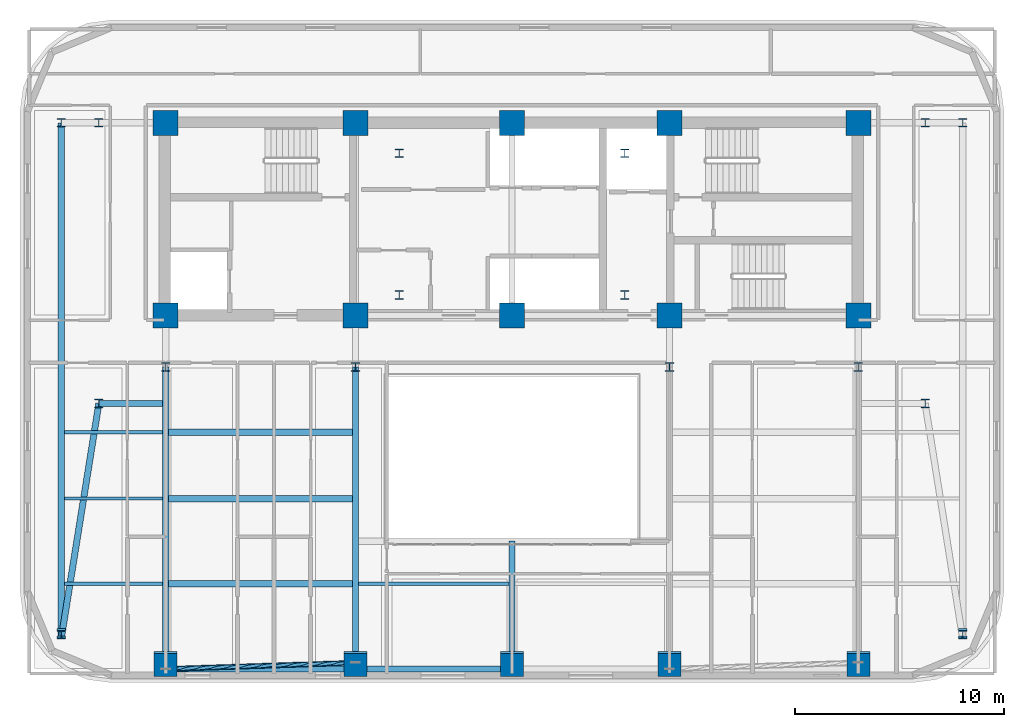
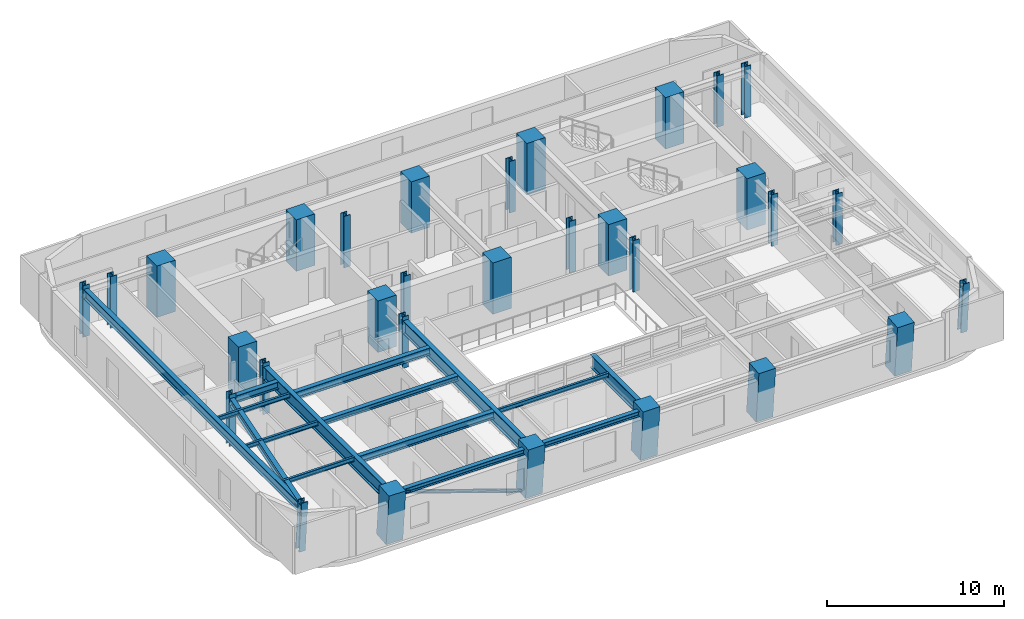
# One storey, part 1 of 12: 31 columns, 15 beams, 1 member.
"""IFC4 building model written with IfcOpenShell, lengths in metres."""

from ifc_helpers import new_model, si_unit, direction, frame, origin, origin_2d, place, context, subcontext, project, spatial, rectangle, hollow_circle, i_section, extrude, material, material_profile, profile_set, type_object, element, save


model = new_model("IFC4")

# Units and contexts
model_context = context("Model", 3, precision=1e-05, world=origin(), true_north=direction((0.0, 1.0)))
body_context = subcontext(model_context, "Body", "Model", "MODEL_VIEW")
ifc_project = project(units=[si_unit("LENGTHUNIT", "METRE"), si_unit("AREAUNIT", "SQUARE_METRE"), si_unit("VOLUMEUNIT", "CUBIC_METRE"), si_unit("PLANEANGLEUNIT", "RADIAN"), si_unit("MASSUNIT", "GRAM", prefix="KILO")], contexts=[model_context])

# Site, building, storey
site_placement = place(None, origin())
site = spatial("IfcSite", under=ifc_project, at=site_placement, CompositionType="ELEMENT")
building_placement = place(site_placement, origin())
building = spatial("IfcBuilding", under=site, at=building_placement, Name="Zarnavel Station Tower", CompositionType="ELEMENT")
storey_placement = place(building_placement, frame((0.0, 0.0, 166.10009765625)))
storey = spatial("IfcBuildingStorey", under=building, at=storey_placement, Name="L45", CompositionType="ELEMENT", Elevation=166.10009765625)

# Columns
ifc_material_1 = material(Name="Steel S355J2", Category="steel")
ifc_material_profile_1 = material_profile(ifc_material_1, i_section(OverallWidth=0.4130859375, OverallDepth=0.4150390625, WebThickness=0.030029296875, FlangeThickness=0.047119140625, FilletRadius=0.014892578125, at=origin_2d()), Name="HD400x347")
ifc_profile_set_1 = profile_set([ifc_material_profile_1], Name="Steel S355J2")
column_type_1 = type_object("IfcColumnType", Name="EC_HD347", PredefinedType="COLUMN", material=ifc_profile_set_1)
column_1_placement = place(storey_placement, frame((7.199951171875, 12.611572265625, 0.0), z_axis=(0.0, -0.079935956101, 0.996800001466), x_axis=(1.0, 0.0, 0.0)))
element("IfcColumn", 1, at=column_1_placement, inside=storey, type_object=column_type_1, Name="L45 Raked Wing Column 1", PredefinedType="COLUMN", context=body_context, shape_type="SweptSolid", body=[
    extrude(i_section(OverallWidth=0.4130859375, OverallDepth=0.4150390625, WebThickness=0.030029296875, FlangeThickness=0.047119140625, FilletRadius=0.014892578125, at=origin_2d()), origin(), (0.0, 0.0, 1.0), 3.561279296875),
])
column_2_placement = place(storey_placement, frame((7.199951171875, 37.050048828125, 0.0), z_axis=(0.0, 0.0, 1.0), x_axis=(1.0, 0.0, 0.0)))
element("IfcColumn", 2, at=column_2_placement, inside=storey, type_object=column_type_1, Name="L45 Outer Wing North Column 1", PredefinedType="COLUMN", context=body_context, shape_type="SweptSolid", body=[
    extrude(i_section(OverallWidth=0.4130859375, OverallDepth=0.4150390625, WebThickness=0.030029296875, FlangeThickness=0.047119140625, FilletRadius=0.014892578125, at=origin_2d()), origin(), (0.0, 0.0, 1.0), 3.5498046875),
])
column_3_placement = place(storey_placement, frame((50.39990234375, 12.611572265625, 0.0), z_axis=(0.0, -0.079935956101, 0.996800001466), x_axis=(1.0, 0.0, 0.0)))
element("IfcColumn", 3, at=column_3_placement, inside=storey, type_object=column_type_1, Name="L45 Raked Wing Column 2", PredefinedType="COLUMN", context=body_context, shape_type="SweptSolid", body=[
    extrude(i_section(OverallWidth=0.4130859375, OverallDepth=0.4150390625, WebThickness=0.030029296875, FlangeThickness=0.047119140625, FilletRadius=0.014892578125, at=origin_2d()), origin(), (0.0, 0.0, 1.0), 3.561279296875),
])
column_4_placement = place(storey_placement, frame((50.39990234375, 37.050048828125, 0.0), z_axis=(0.0, 0.0, 1.0), x_axis=(1.0, 0.0, 0.0)))
element("IfcColumn", 4, at=column_4_placement, inside=storey, type_object=column_type_1, Name="L45 Outer Wing North Column 2", PredefinedType="COLUMN", context=body_context, shape_type="SweptSolid", body=[
    extrude(i_section(OverallWidth=0.4130859375, OverallDepth=0.4150390625, WebThickness=0.030029296875, FlangeThickness=0.047119140625, FilletRadius=0.014892578125, at=origin_2d()), origin(), (0.0, 0.0, 1.0), 3.5498046875),
])
ifc_material_2 = material(Name="Steel S355J2", Category="steel")
ifc_material_profile_2 = material_profile(ifc_material_2, i_section(OverallWidth=0.4130859375, OverallDepth=0.4150390625, WebThickness=0.030029296875, FlangeThickness=0.047119140625, FilletRadius=0.014892578125, at=origin_2d()), Name="HD400x347")
ifc_profile_set_2 = profile_set([ifc_material_profile_2], Name="Steel S355J2")
column_type_2 = type_object("IfcColumnType", Name="IC_HD347", PredefinedType="COLUMN", material=ifc_profile_set_2)
for number, where, z_axis, x_axis, name in (
    (5, (23.39990234375, 28.800048828125, 0.0), (0.0, 0.0, 1.0), (1.0, 0.0, 0.0), "L45 Mast Spine Column 1"),
    (6, (34.199951171875, 28.800048828125, 0.0), (0.0, 0.0, 1.0), (1.0, 0.0, 0.0), "L45 Mast Spine Column 2"),
    (7, (34.199951171875, 35.60009765625, 0.0), (0.0, 0.0, 1.0), (1.0, 0.0, 0.0), "L45 Mast Spine Column 3"),
    (8, (23.39990234375, 35.60009765625, 0.0), (0.0, 0.0, 1.0), (1.0, 0.0, 0.0), "L45 Mast Spine Column 4"),
    (9, (12.199951171875, 25.35009765625, 0.0), (0.0, 0.0, 1.0), (1.0, 0.0, 0.0), "L45 Inner Spine Column 1"),
    (10, (21.300048828125, 25.35009765625, 0.0), (0.0, 0.0, 1.0), (1.0, 0.0, 0.0), "L45 Inner Spine Column 2"),
    (11, (36.35009765625, 25.35009765625, 0.0), (0.0, 0.0, 1.0), (1.0, 0.0, 0.0), "L45 Inner Spine Column 4"),
    (12, (45.39990234375, 25.35009765625, 0.0), (0.0, 0.0, 1.0), (1.0, 0.0, 0.0), "L45 Inner Spine Column 5"),
    (13, (9.0, 23.60009765625, 0.0), (0.0, 0.0, 1.0), (1.0, 0.0, 0.0), "L45 Inner Wing Spine Column 1-1"),
    (14, (9.0, 37.050048828125, 0.0), (0.0, 0.0, 1.0), (1.0, 0.0, 0.0), "L45 Inner Wing Spine Column 1-2"),
    (15, (48.60009765625, 23.60009765625, 0.0), (0.0, 0.0, 1.0), (1.0, 0.0, 0.0), "L45 Inner Wing Spine Column 2-1"),
    (16, (48.60009765625, 37.050048828125, 0.0), (0.0, 0.0, 1.0), (1.0, 0.0, 0.0), "L45 Inner Wing Spine Column 2-2"),
):
    element("IfcColumn", number, at=place(storey_placement, frame(where, z_axis=z_axis, x_axis=x_axis)), inside=storey, type_object=column_type_2, Name=name, PredefinedType="COLUMN", context=body_context, shape_type="SweptSolid", body=[
        extrude(i_section(OverallWidth=0.4130859375, OverallDepth=0.4150390625, WebThickness=0.030029296875, FlangeThickness=0.047119140625, FilletRadius=0.014892578125, at=origin_2d()), origin(), (0.0, 0.0, 1.0), 3.5498046875),
    ])
ifc_material_3 = material(Name="Concrete C50/60", Category="concrete")
ifc_material_profile_3 = material_profile(ifc_material_3, rectangle(XDim=1.199951171875, YDim=1.199951171875, at=origin_2d()), Name="RC1200x1200")
ifc_profile_set_3 = profile_set([ifc_material_profile_3], Name="Concrete C50/60")
column_type_3 = type_object("IfcColumnType", Name="IC_RC1200", PredefinedType="COLUMN", material=ifc_profile_set_3)
for number, where, z_axis, x_axis, name in (
    (17, (12.199951171875, 27.820068359375, 0.0), (0.0, 0.0, 1.0), (1.0, 0.0, 0.0), "L45 Core Spine Column 1-1"),
    (18, (12.199951171875, 37.050048828125, 0.0), (0.0, 0.0, 1.0), (1.0, 0.0, 0.0), "L45 Core Spine Column 1-2"),
    (19, (21.300048828125, 27.820068359375, 0.0), (0.0, 0.0, 1.0), (1.0, 0.0, 0.0), "L45 Core Spine Column 2-1"),
    (20, (21.300048828125, 37.050048828125, 0.0), (0.0, 0.0, 1.0), (1.0, 0.0, 0.0), "L45 Core Spine Column 2-2"),
    (21, (28.800048828125, 27.820068359375, 0.0), (0.0, 0.0, 1.0), (1.0, 0.0, 0.0), "L45 Core Spine Column 3-1"),
    (22, (28.800048828125, 37.050048828125, 0.0), (0.0, 0.0, 1.0), (1.0, 0.0, 0.0), "L45 Core Spine Column 3-2"),
    (23, (36.35009765625, 27.820068359375, 0.0), (0.0, 0.0, 1.0), (1.0, 0.0, 0.0), "L45 Core Spine Column 4-1"),
    (24, (36.35009765625, 37.050048828125, 0.0), (0.0, 0.0, 1.0), (1.0, 0.0, 0.0), "L45 Core Spine Column 4-2"),
    (25, (45.39990234375, 27.820068359375, 0.0), (0.0, 0.0, 1.0), (1.0, 0.0, 0.0), "L45 Core Spine Column 5-1"),
    (26, (45.39990234375, 37.050048828125, 0.0), (0.0, 0.0, 1.0), (1.0, 0.0, 0.0), "L45 Core Spine Column 5-2"),
):
    element("IfcColumn", number, at=place(storey_placement, frame(where, z_axis=z_axis, x_axis=x_axis)), inside=storey, type_object=column_type_3, Name=name, PredefinedType="COLUMN", context=body_context, shape_type="SweptSolid", body=[
        extrude(rectangle(XDim=1.199951171875, YDim=1.199951171875, at=origin_2d()), origin(), (0.0, 0.0, 1.0), 3.5498046875),
    ])
ifc_material_4 = material(Name="Concrete C50/60", Category="concrete")
ifc_material_profile_4 = material_profile(ifc_material_4, rectangle(XDim=1.10009765625, YDim=1.10009765625, at=origin_2d()), Name="RC1100x1100")
ifc_profile_set_4 = profile_set([ifc_material_profile_4], Name="Concrete C50/60")
column_type_4 = type_object("IfcColumnType", Name="MC_RC1100", PredefinedType="COLUMN", material=ifc_profile_set_4)
for number, where, z_axis, x_axis, name in (
    (27, (12.199951171875, 11.176025390625, 0.0), (0.0, -0.090276360409, 0.995916752922), (1.0, 0.0, 0.0), "L45 Raked South Mega-Column 1"),
    (28, (21.300048828125, 11.176025390625, 0.0), (0.0, -0.090276360409, 0.995916752922), (1.0, 0.0, 0.0), "L45 Raked South Mega-Column 2"),
    (29, (28.800048828125, 11.176025390625, 0.0), (0.0, -0.090276360409, 0.995916752922), (1.0, 0.0, 0.0), "L45 Raked South Mega-Column 3"),
    (30, (36.35009765625, 11.176025390625, 0.0), (0.0, -0.090276360409, 0.995916752922), (1.0, 0.0, 0.0), "L45 Raked South Mega-Column 4"),
    (31, (45.39990234375, 11.176025390625, 0.0), (0.0, -0.090276360409, 0.995916752922), (1.0, 0.0, 0.0), "L45 Raked South Mega-Column 5"),
):
    element("IfcColumn", number, at=place(storey_placement, frame(where, z_axis=z_axis, x_axis=x_axis)), inside=storey, type_object=column_type_4, Name=name, PredefinedType="COLUMN", context=body_context, shape_type="SweptSolid", body=[
        extrude(rectangle(XDim=1.10009765625, YDim=1.10009765625, at=origin_2d()), origin(), (0.0, 0.0, 1.0), 3.564453125),
    ])

# Member
ifc_material_5 = material(Name="Steel S355J2", Category="steel")
ifc_material_profile_5 = material_profile(ifc_material_5, hollow_circle(Radius=0.122314453125, WallThickness=0.010009765625, at=origin_2d()), Name="CHS244.5x10")
ifc_profile_set_5 = profile_set([ifc_material_profile_5], Name="Steel S355J2")
member_type = type_object("IfcMemberType", Name="DB_EXT_CHS245", PredefinedType="BRACE", material=ifc_profile_set_5)
member_placement = place(storey_placement, frame((21.300048828125, 11.176025390625, 0.0), z_axis=(-0.939987461928, -0.030791562242, 0.33981679051), x_axis=(0.032739857023, -0.999463907183, 0.0)))
element("IfcMember", 32, at=member_placement, inside=storey, type_object=member_type, Name="L45 Persian Exterior Diagonal Frame Brace 1", PredefinedType="BRACE", context=body_context, shape_type="SweptSolid", body=[
    extrude(hollow_circle(Radius=0.122314453125, WallThickness=0.010009765625, at=origin_2d()), origin(), (0.0, 0.0, 1.0), 9.68115234375),
])

# Beams
ifc_material_6 = material(Name="Steel S355J2", Category="steel")
ifc_material_profile_6 = material_profile(ifc_material_6, i_section(OverallWidth=0.300048828125, OverallDepth=0.360107421875, WebThickness=0.012451171875, FlangeThickness=0.0224609375, FilletRadius=0.027099609375, at=origin_2d()), Name="HEB360")
ifc_profile_set_6 = profile_set([ifc_material_profile_6], Name="Steel S355J2")
beam_type_1 = type_object("IfcBeamType", Name="EB_HEB360", PredefinedType="SPANDREL", material=ifc_profile_set_6)
beam_1_placement = place(storey_placement, frame((12.199951171875, 10.8779296875, 3.10986328125), z_axis=(1.0, 0.0, 0.0), x_axis=(0.0, 1.0, 0.0)))
element("IfcBeam", 33, at=beam_1_placement, inside=storey, type_object=beam_type_1, Name="L45 South Raked Spandrel 1", PredefinedType="SPANDREL", context=body_context, shape_type="SweptSolid", body=[
    extrude(i_section(OverallWidth=0.300048828125, OverallDepth=0.360107421875, WebThickness=0.012451171875, FlangeThickness=0.0224609375, FilletRadius=0.027099609375, at=origin_2d()), origin(), (0.0, 0.0, 1.0), 9.10009765625),
])
beam_2_placement = place(storey_placement, frame((21.300048828125, 10.8779296875, 3.10986328125), z_axis=(1.0, 0.0, 0.0), x_axis=(0.0, 1.0, 0.0)))
element("IfcBeam", 34, at=beam_2_placement, inside=storey, type_object=beam_type_1, Name="L45 South Raked Spandrel 2", PredefinedType="SPANDREL", context=body_context, shape_type="SweptSolid", body=[
    extrude(i_section(OverallWidth=0.300048828125, OverallDepth=0.360107421875, WebThickness=0.012451171875, FlangeThickness=0.0224609375, FilletRadius=0.027099609375, at=origin_2d()), origin(), (0.0, 0.0, 1.0), 7.5),
])
ifc_material_7 = material(Name="Steel S355J2", Category="steel")
ifc_material_profile_7 = material_profile(ifc_material_7, i_section(OverallWidth=0.300048828125, OverallDepth=0.35009765625, WebThickness=0.010009765625, FlangeThickness=0.017578125, FilletRadius=0.027099609375, at=origin_2d()), Name="HEA360")
ifc_profile_set_7 = profile_set([ifc_material_profile_7], Name="Steel S355J2")
beam_type_2 = type_object("IfcBeamType", Name="FB_HEA360", PredefinedType="BEAM", material=ifc_profile_set_7)
beam_3_placement = place(storey_placement, frame((12.344970703125, 19.038818359375, 3.114990234375), z_axis=(1.0, 0.0, 0.0), x_axis=(0.0, 1.0, 0.0)))
element("IfcBeam", 35, at=beam_3_placement, inside=storey, type_object=beam_type_2, Name="L45 West Bay Beam 2", PredefinedType="BEAM", context=body_context, shape_type="SweptSolid", body=[
    extrude(i_section(OverallWidth=0.300048828125, OverallDepth=0.35009765625, WebThickness=0.010009765625, FlangeThickness=0.017578125, FilletRadius=0.027099609375, at=origin_2d()), origin(), (0.0, 0.0, 1.0), 8.81005859375),
])
ifc_material_8 = material(Name="Steel S355J2", Category="steel")
ifc_material_profile_8 = material_profile(ifc_material_8, i_section(OverallWidth=0.300048828125, OverallDepth=0.489990234375, WebThickness=0.011962890625, FlangeThickness=0.02294921875, FilletRadius=0.027099609375, at=origin_2d()), Name="HEA500")
ifc_profile_set_8 = profile_set([ifc_material_profile_8], Name="Steel S355J2")
beam_type_3 = type_object("IfcBeamType", Name="FB_HEA500", PredefinedType="BEAM", material=ifc_profile_set_8)
for number, where, z_axis, x_axis, name in (
    (36, (12.344970703125, 14.95849609375, 3.044921875), (1.0, 0.0, 0.0), (0.0, 1.0, 0.0), "L45 West Bay Beam 1"),
    (37, (12.344970703125, 22.219482421875, 3.044921875), (1.0, 0.0, 0.0), (0.0, 1.0, 0.0), "L45 West Bay Beam 3"),
):
    element("IfcBeam", number, at=place(storey_placement, frame(where, z_axis=z_axis, x_axis=x_axis)), inside=storey, type_object=beam_type_3, Name=name, PredefinedType="BEAM", context=body_context, shape_type="SweptSolid", body=[
        extrude(i_section(OverallWidth=0.300048828125, OverallDepth=0.489990234375, WebThickness=0.011962890625, FlangeThickness=0.02294921875, FilletRadius=0.027099609375, at=origin_2d()), origin(), (0.0, 0.0, 1.0), 8.81005859375),
    ])
ifc_material_9 = material(Name="Steel S355J2", Category="steel")
ifc_material_profile_9 = material_profile(ifc_material_9, i_section(OverallWidth=0.300048828125, OverallDepth=0.5, WebThickness=0.014404296875, FlangeThickness=0.028076171875, FilletRadius=0.027099609375, at=origin_2d()), Name="HEB500")
ifc_profile_set_9 = profile_set([ifc_material_profile_9], Name="Steel S355J2")
beam_type_4 = type_object("IfcBeamType", Name="FG_HEB500", PredefinedType="USERDEFINED", material=ifc_profile_set_9)
beam_4_placement = place(storey_placement, frame((7.199951171875, 12.347900390625, 3.039794921875), z_axis=(0.157964597507, 0.987444776144, 0.0), x_axis=(-0.987444776144, 0.157964597507, 0.0)))
element("IfcBeam", 38, at=beam_4_placement, inside=storey, type_object=beam_type_4, Name="L45 West Wing South Tie 1", ObjectType="GIRDER", PredefinedType="USERDEFINED", context=body_context, shape_type="SweptSolid", body=[
    extrude(i_section(OverallWidth=0.300048828125, OverallDepth=0.5, WebThickness=0.014404296875, FlangeThickness=0.028076171875, FilletRadius=0.027099609375, at=origin_2d()), origin(), (0.0, 0.0, 1.0), 11.395263671875),
])
beam_5_placement = place(storey_placement, frame((9.0, 23.60009765625, 3.039794921875), z_axis=(1.0, 0.0, 0.0), x_axis=(0.0, 1.0, 0.0)))
element("IfcBeam", 39, at=beam_5_placement, inside=storey, type_object=beam_type_4, Name="L45 West Wing South Tie 2", ObjectType="GIRDER", PredefinedType="USERDEFINED", context=body_context, shape_type="SweptSolid", body=[
    extrude(i_section(OverallWidth=0.300048828125, OverallDepth=0.5, WebThickness=0.014404296875, FlangeThickness=0.028076171875, FilletRadius=0.027099609375, at=origin_2d()), origin(), (0.0, 0.0, 1.0), 3.054931640625),
])
ifc_material_10 = material(Name="Steel S355J2", Category="steel")
ifc_material_profile_10 = material_profile(ifc_material_10, i_section(OverallWidth=0.300048828125, OverallDepth=0.64990234375, WebThickness=0.01611328125, FlangeThickness=0.031005859375, FilletRadius=0.027099609375, at=origin_2d()), Name="HEB650")
ifc_profile_set_10 = profile_set([ifc_material_profile_10], Name="Steel S355J2")
beam_type_5 = type_object("IfcBeamType", Name="FG_HEB650", PredefinedType="USERDEFINED", material=ifc_profile_set_10)
beam_6_placement = place(storey_placement, frame((7.199951171875, 12.347900390625, 2.96484375), z_axis=(0.0, 1.0, 0.0), x_axis=(-1.0, 0.0, 0.0)))
element("IfcBeam", 40, at=beam_6_placement, inside=storey, type_object=beam_type_5, Name="L45 Wing NS Girder 1", ObjectType="GIRDER", PredefinedType="USERDEFINED", context=body_context, shape_type="SweptSolid", body=[
    extrude(i_section(OverallWidth=0.300048828125, OverallDepth=0.64990234375, WebThickness=0.01611328125, FlangeThickness=0.031005859375, FilletRadius=0.027099609375, at=origin_2d()), origin(), (0.0, 0.0, 1.0), 24.7021484375),
])
ifc_material_11 = material(Name="Steel S355J2", Category="steel")
ifc_material_profile_11 = material_profile(ifc_material_11, i_section(OverallWidth=0.14990234375, OverallDepth=0.300048828125, WebThickness=0.007080078125, FlangeThickness=0.0107421875, FilletRadius=0.014892578125, at=origin_2d()), Name="IPE300")
ifc_profile_set_11 = profile_set([ifc_material_profile_11], Name="Steel S355J2")
beam_type_6 = type_object("IfcBeamType", Name="FJ_IPE300", PredefinedType="JOIST", material=ifc_profile_set_11)
beam_7_placement = place(storey_placement, frame((21.445068359375, 14.95849609375, 3.139892578125), z_axis=(1.0, 0.0, 0.0), x_axis=(0.0, 1.0, 0.0)))
element("IfcBeam", 41, at=beam_7_placement, inside=storey, type_object=beam_type_6, Name="L45 Mid-West Joist 1", PredefinedType="JOIST", context=body_context, shape_type="SweptSolid", body=[
    extrude(i_section(OverallWidth=0.14990234375, OverallDepth=0.300048828125, WebThickness=0.007080078125, FlangeThickness=0.0107421875, FilletRadius=0.014892578125, at=origin_2d()), origin(), (0.0, 0.0, 1.0), 7.2099609375),
])
for number, where, z_axis, x_axis, name in (
    (42, (7.344970703125, 14.95849609375, 3.139892578125), (1.0, 0.0, 0.0), (0.0, 1.0, 0.0), "L45 West Wing Joist 1"),
    (43, (7.344970703125, 19.038818359375, 3.139892578125), (1.0, 0.0, 0.0), (0.0, 1.0, 0.0), "L45 West Wing Joist 2"),
    (44, (7.344970703125, 22.219482421875, 3.139892578125), (1.0, 0.0, 0.0), (0.0, 1.0, 0.0), "L45 West Wing Joist 3"),
):
    element("IfcBeam", number, at=place(storey_placement, frame(where, z_axis=z_axis, x_axis=x_axis)), inside=storey, type_object=beam_type_6, Name=name, PredefinedType="JOIST", context=body_context, shape_type="SweptSolid", body=[
        extrude(i_section(OverallWidth=0.14990234375, OverallDepth=0.300048828125, WebThickness=0.007080078125, FlangeThickness=0.0107421875, FilletRadius=0.014892578125, at=origin_2d()), origin(), (0.0, 0.0, 1.0), 4.7099609375),
    ])
ifc_material_12 = material(Name="Steel S460M", Category="steel")
ifc_material_profile_12 = material_profile(ifc_material_12, i_section(OverallWidth=0.302001953125, OverallDepth=0.909912109375, WebThickness=0.02099609375, FlangeThickness=0.0400390625, FilletRadius=0.030029296875, at=origin_2d()), Name="HEM900")
ifc_profile_set_12 = profile_set([ifc_material_profile_12], Name="Steel S460M")
beam_type_7 = type_object("IfcBeamType", Name="TG_HEM900", PredefinedType="USERDEFINED", material=ifc_profile_set_12)
for number, where, z_axis, x_axis, name in (
    (45, (12.199951171875, 10.8779296875, 2.8349609375), (0.0, 1.0, 0.0), (-1.0, 0.0, 0.0), "L45 South-Zone NS Girder 1"),
    (46, (21.300048828125, 10.8779296875, 2.8349609375), (0.0, 1.0, 0.0), (-1.0, 0.0, 0.0), "L45 South-Zone NS Girder 2"),
):
    element("IfcBeam", number, at=place(storey_placement, frame(where, z_axis=z_axis, x_axis=x_axis)), inside=storey, type_object=beam_type_7, Name=name, ObjectType="GIRDER", PredefinedType="USERDEFINED", context=body_context, shape_type="SweptSolid", body=[
        extrude(i_section(OverallWidth=0.302001953125, OverallDepth=0.909912109375, WebThickness=0.02099609375, FlangeThickness=0.0400390625, FilletRadius=0.030029296875, at=origin_2d()), origin(), (0.0, 0.0, 1.0), 14.47216796875),
    ])
beam_8_placement = place(storey_placement, frame((28.800048828125, 10.8779296875, 2.8349609375), z_axis=(0.0, 1.0, 0.0), x_axis=(-1.0, 0.0, 0.0)))
element("IfcBeam", 47, at=beam_8_placement, inside=storey, type_object=beam_type_7, Name="L45 Central Atrium-South Girder", ObjectType="GIRDER", PredefinedType="USERDEFINED", context=body_context, shape_type="SweptSolid", body=[
    extrude(i_section(OverallWidth=0.302001953125, OverallDepth=0.909912109375, WebThickness=0.02099609375, FlangeThickness=0.0400390625, FilletRadius=0.030029296875, at=origin_2d()), origin(), (0.0, 0.0, 1.0), 6.1220703125),
])

save(model, "model.ifc")
